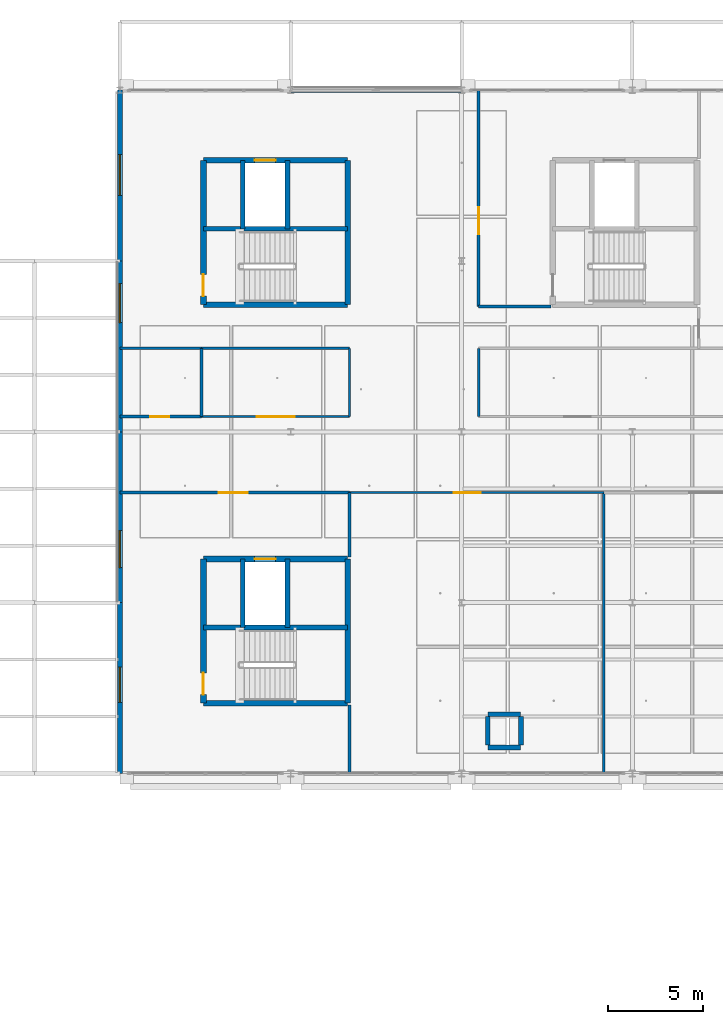
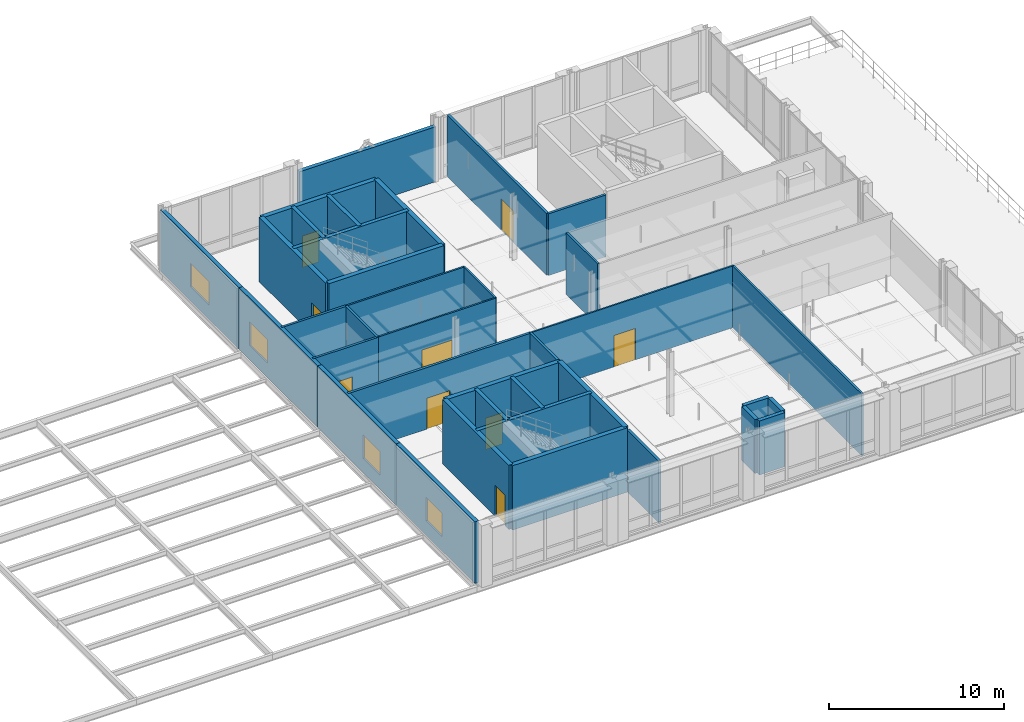
# One storey, part 45 of 66: 37 walls, 9 doors, 4 windows, 13 openings.
"""IFC4 building model written with IfcOpenShell, lengths in metres."""

from ifc_helpers import new_model, si_unit, direction, frame, frame_2d, origin, place, context, subcontext, project, spatial, rectangle, extrude, material, layer, layer_set, type_object, element, fill, save


model = new_model("IFC4")

# Units and contexts
model_context = context("Model", 3, precision=1e-05, world=origin(), true_north=direction((0.0, 1.0)))
body_context = subcontext(model_context, "Body", "Model", "MODEL_VIEW")
ifc_project = project(units=[si_unit("LENGTHUNIT", "METRE"), si_unit("AREAUNIT", "SQUARE_METRE"), si_unit("VOLUMEUNIT", "CUBIC_METRE"), si_unit("PLANEANGLEUNIT", "RADIAN"), si_unit("MASSUNIT", "GRAM", prefix="KILO"), si_unit("THERMODYNAMICTEMPERATUREUNIT", "KELVIN"), si_unit("POWERUNIT", "WATT")], contexts=[model_context])

# Site, building, storey
site_placement = place(None, origin())
site = spatial("IfcSite", under=ifc_project, at=site_placement, CompositionType="ELEMENT")
building_placement = place(site_placement, origin())
building = spatial("IfcBuilding", under=site, at=building_placement, Name="Tallowbark Science Centre", CompositionType="ELEMENT")
storey_placement = place(building_placement, frame((0.0, 0.0, 18.89990234375)))
storey = spatial("IfcBuildingStorey", under=building, at=storey_placement, Name="L04", CompositionType="ELEMENT", Elevation=18.89990234375)

# Wall
ifc_material_1 = material(Name="Insulated Precast Concrete Panel Grade N40 (40 MPa)", Category="concrete")
ifc_layer_1 = layer(ifc_material_1, 0.25)
ifc_layer_set_1 = layer_set([ifc_layer_1], Name="Insulated Precast Concrete Panel Grade N40 (40 MPa)")
wall_type_1 = type_object("IfcWallType", Name="EWL-PRC-250", PredefinedType="STANDARD", material=ifc_layer_set_1)
wall_1_placement = place(storey_placement, frame((130.5, 108.0, 0.0), z_axis=(0.0, 0.0, 1.0), x_axis=(-1.0, 0.0, 0.0)))
element("IfcWall", 1, at=wall_1_placement, inside=storey, type_object=wall_type_1, Name="Exterior Wall OBS4-N-CBF", PredefinedType="STANDARD", context=body_context, shape_type="SweptSolid", body=[
    extrude(rectangle(XDim=9.0, YDim=0.25, at=frame_2d((4.5, 0.0))), origin(), (0.0, 0.0, 1.0), 3.84619140625),
])

# Wall, opening, window
wall_2_placement = place(storey_placement, frame((112.5, 81.0, 0.0), z_axis=(0.0, 0.0, 1.0), x_axis=(0.0, -1.0, 0.0)))
wall_2 = element("IfcWall", 2, at=wall_2_placement, inside=storey, type_object=wall_type_1, Name="Exterior Wall OBS4-W-72", PredefinedType="STANDARD", context=body_context, shape_type="SweptSolid", body=[
    extrude(rectangle(XDim=9.0, YDim=0.25, at=frame_2d((4.5, 0.0))), origin(), (0.0, 0.0, 1.0), 4.320068359375),
])
opening_1_placement = place(wall_2_placement, frame((3.39990234375, 0.0, 1.0)))
opening_1 = element("IfcOpeningElement", 3, at=opening_1_placement, cuts=wall_2, Name="Opening WS-10", PredefinedType="OPENING", context=body_context, shape_type="SweptSolid", body=[
    extrude(rectangle(XDim=1.85009765625, YDim=1.64990234375, at=frame_2d((0.925048828125, 0.824951171875))), frame((0.0, 0.135009765625, 0.0), z_axis=(0.0, -1.0, 0.0), x_axis=(1.0, 0.0, 0.0)), (0.0, 0.0, 1.0), 0.27001953125),
])
ifc_material_2 = material(Name="Thermally Broken Aluminium and Low-E Double Glazing", Category="aluminium")
window_type_1 = type_object("IfcWindowType", Name="WIN-SP-185x165", PartitioningType="SINGLE_PANEL", PredefinedType="WINDOW", material=ifc_material_2)
window_1_placement = place(opening_1_placement, origin())
window_1 = element("IfcWindow", 4, at=window_1_placement, inside=storey, type_object=window_type_1, Name="Acoustic Window WSP-10", OverallHeight=1.64990234375, OverallWidth=1.85009765625, PartitioningType="SINGLE_PANEL", PredefinedType="WINDOW", context=body_context, shape_type="SweptSolid", body=[
    extrude(rectangle(XDim=1.85009765625, YDim=1.64990234375, at=frame_2d((0.925048828125, 0.824951171875))), frame((0.0, 0.030029296875, 0.0), z_axis=(0.0, -1.0, 0.0), x_axis=(1.0, 0.0, 0.0)), (0.0, 0.0, 1.0), 0.06005859375),
])
fill(opening_1, window_1)

wall_3_placement = place(storey_placement, frame((112.5, 90.0, 0.0), z_axis=(0.0, 0.0, 1.0), x_axis=(0.0, -1.0, 0.0)))
wall_3 = element("IfcWall", 5, at=wall_3_placement, inside=storey, type_object=wall_type_1, Name="Exterior Wall OBS4-W-81", PredefinedType="STANDARD", context=body_context, shape_type="SweptSolid", body=[
    extrude(rectangle(XDim=9.0, YDim=0.25, at=frame_2d((4.5, 0.0))), origin(), (0.0, 0.0, 1.0), 4.320068359375),
])
opening_2_placement = place(wall_3_placement, frame((5.199951171875, 0.0, 1.0)))
opening_2 = element("IfcOpeningElement", 6, at=opening_2_placement, cuts=wall_3, Name="Opening WS-11", PredefinedType="OPENING", context=body_context, shape_type="SweptSolid", body=[
    extrude(rectangle(XDim=1.949951171875, YDim=1.64990234375, at=frame_2d((0.97509765625, 0.824951171875))), frame((0.0, 0.135009765625, 0.0), z_axis=(0.0, -1.0, 0.0), x_axis=(1.0, 0.0, 0.0)), (0.0, 0.0, 1.0), 0.27001953125),
])
window_type_2 = type_object("IfcWindowType", Name="WIN-SP-195x165", PartitioningType="SINGLE_PANEL", PredefinedType="WINDOW", material=ifc_material_2)
window_2_placement = place(opening_2_placement, origin())
window_2 = element("IfcWindow", 7, at=window_2_placement, inside=storey, type_object=window_type_2, Name="Acoustic Window WSP-11", OverallHeight=1.64990234375, OverallWidth=1.949951171875, PartitioningType="SINGLE_PANEL", PredefinedType="WINDOW", context=body_context, shape_type="SweptSolid", body=[
    extrude(rectangle(XDim=1.949951171875, YDim=1.64990234375, at=frame_2d((0.97509765625, 0.824951171875))), frame((0.0, 0.030029296875, 0.0), z_axis=(0.0, -1.0, 0.0), x_axis=(1.0, 0.0, 0.0)), (0.0, 0.0, 1.0), 0.06005859375),
])
fill(opening_2, window_2)

wall_4_placement = place(storey_placement, frame((112.5, 99.0, 0.0), z_axis=(0.0, 0.0, 1.0), x_axis=(0.0, -1.0, 0.0)))
wall_4 = element("IfcWall", 8, at=wall_4_placement, inside=storey, type_object=wall_type_1, Name="Exterior Wall OBS4-W-90", PredefinedType="STANDARD", context=body_context, shape_type="SweptSolid", body=[
    extrude(rectangle(XDim=9.0, YDim=0.25, at=frame_2d((4.5, 0.0))), origin(), (0.0, 0.0, 1.0), 4.320068359375),
])
opening_3_placement = place(wall_4_placement, frame((1.199951171875, 0.0, 1.0)))
opening_3 = element("IfcOpeningElement", 9, at=opening_3_placement, cuts=wall_4, Name="Opening WS-12", PredefinedType="OPENING", context=body_context, shape_type="SweptSolid", body=[
    extrude(rectangle(XDim=2.050048828125, YDim=1.64990234375, at=frame_2d((1.02490234375, 0.824951171875))), frame((0.0, 0.135009765625, 0.0), z_axis=(0.0, -1.0, 0.0), x_axis=(1.0, 0.0, 0.0)), (0.0, 0.0, 1.0), 0.27001953125),
])
window_type_3 = type_object("IfcWindowType", Name="WIN-SP-205x165", PartitioningType="SINGLE_PANEL", PredefinedType="WINDOW", material=ifc_material_2)
window_3_placement = place(opening_3_placement, origin())
window_3 = element("IfcWindow", 10, at=window_3_placement, inside=storey, type_object=window_type_3, Name="Acoustic Window WSP-12", OverallHeight=1.64990234375, OverallWidth=2.050048828125, PartitioningType="SINGLE_PANEL", PredefinedType="WINDOW", context=body_context, shape_type="SweptSolid", body=[
    extrude(rectangle(XDim=2.050048828125, YDim=1.64990234375, at=frame_2d((1.02490234375, 0.824951171875))), frame((0.0, 0.030029296875, 0.0), z_axis=(0.0, -1.0, 0.0), x_axis=(1.0, 0.0, 0.0)), (0.0, 0.0, 1.0), 0.06005859375),
])
fill(opening_3, window_3)

wall_5_placement = place(storey_placement, frame((112.5, 108.0, 0.0), z_axis=(0.0, 0.0, 1.0), x_axis=(0.0, -1.0, 0.0)))
wall_5 = element("IfcWall", 11, at=wall_5_placement, inside=storey, type_object=wall_type_1, Name="Exterior Wall OBS4-W-99", PredefinedType="STANDARD", context=body_context, shape_type="SweptSolid", body=[
    extrude(rectangle(XDim=9.0, YDim=0.25, at=frame_2d((4.5, 0.0))), origin(), (0.0, 0.0, 1.0), 4.320068359375),
])
opening_4_placement = place(wall_5_placement, frame((3.39990234375, 0.0, 1.0)))
opening_4 = element("IfcOpeningElement", 12, at=opening_4_placement, cuts=wall_5, Name="Opening WS-13", PredefinedType="OPENING", context=body_context, shape_type="SweptSolid", body=[
    extrude(rectangle(XDim=2.14990234375, YDim=1.64990234375, at=frame_2d((1.074951171875, 0.824951171875))), frame((0.0, 0.135009765625, 0.0), z_axis=(0.0, -1.0, 0.0), x_axis=(1.0, 0.0, 0.0)), (0.0, 0.0, 1.0), 0.27001953125),
])
window_type_4 = type_object("IfcWindowType", Name="WIN-SP-215x165", PartitioningType="SINGLE_PANEL", PredefinedType="WINDOW", material=ifc_material_2)
window_4_placement = place(opening_4_placement, origin())
window_4 = element("IfcWindow", 13, at=window_4_placement, inside=storey, type_object=window_type_4, Name="Acoustic Window WSP-13", OverallHeight=1.64990234375, OverallWidth=2.14990234375, PartitioningType="SINGLE_PANEL", PredefinedType="WINDOW", context=body_context, shape_type="SweptSolid", body=[
    extrude(rectangle(XDim=2.14990234375, YDim=1.64990234375, at=frame_2d((1.074951171875, 0.824951171875))), frame((0.0, 0.030029296875, 0.0), z_axis=(0.0, -1.0, 0.0), x_axis=(1.0, 0.0, 0.0)), (0.0, 0.0, 1.0), 0.06005859375),
])
fill(opening_4, window_4)

# Walls
ifc_material_3 = material(Name="116 mm Acoustic Steel Stud and 16 mm Fire-Rated Plasterboard", Category="steel")
ifc_layer_2 = layer(ifc_material_3, 0.115966796875)
ifc_layer_set_2 = layer_set([ifc_layer_2], Name="116 mm Acoustic Steel Stud and 16 mm Fire-Rated Plasterboard")
wall_type_2 = type_object("IfcWallType", Name="PTW-116", PredefinedType="PARTITIONING", material=ifc_layer_set_2)
wall_6_placement = place(storey_placement, frame((116.800048828125, 94.39990234375, 0.0), z_axis=(0.0, 0.0, 1.0), x_axis=(1.0, 0.0, 0.0)))
element("IfcWall", 14, at=wall_6_placement, inside=storey, type_object=wall_type_2, Name="Interior Partition PTW-L04-0308", PredefinedType="PARTITIONING", context=body_context, shape_type="SweptSolid", body=[
    extrude(rectangle(XDim=7.800048828125, YDim=0.115966796875, at=frame_2d((3.89990234375, 0.0))), origin(), (0.0, 0.0, 1.0), 4.320068359375),
])
wall_7_placement = place(storey_placement, frame((124.60009765625, 90.800048828125, 0.0), z_axis=(0.0, 0.0, 1.0), x_axis=(0.0, 1.0, 0.0)))
element("IfcWall", 15, at=wall_7_placement, inside=storey, type_object=wall_type_2, Name="Interior Partition PTW-L04-0309", PredefinedType="PARTITIONING", context=body_context, shape_type="SweptSolid", body=[
    extrude(rectangle(XDim=3.599853515625, YDim=0.115966796875, at=frame_2d((1.7998046875, 0.0))), origin(), (0.0, 0.0, 1.0), 4.320068359375),
])
ifc_material_4 = material(Name="132 mm Acoustic Laboratory Steel Stud Partition", Category="steel")
ifc_layer_3 = layer(ifc_material_4, 0.132080078125)
ifc_layer_set_3 = layer_set([ifc_layer_3], Name="132 mm Acoustic Laboratory Steel Stud Partition")
wall_type_3 = type_object("IfcWallType", Name="PTW-132", PredefinedType="PARTITIONING", material=ifc_layer_set_3)
wall_8_placement = place(storey_placement, frame((138.0, 72.0, 0.0), z_axis=(0.0, 0.0, 1.0), x_axis=(0.0, 1.0, 0.0)))
element("IfcWall", 16, at=wall_8_placement, inside=storey, type_object=wall_type_3, Name="Interior Partition PTW-L04-0298", PredefinedType="PARTITIONING", context=body_context, shape_type="SweptSolid", body=[
    extrude(rectangle(XDim=14.800048828125, YDim=0.132080078125, at=frame_2d((7.39990234375, 0.0))), origin(), (0.0, 0.0, 1.0), 4.320068359375),
])
wall_9_placement = place(storey_placement, frame((131.39990234375, 90.800048828125, 0.0), z_axis=(0.0, 0.0, 1.0), x_axis=(0.0, 1.0, 0.0)))
element("IfcWall", 17, at=wall_9_placement, inside=storey, type_object=wall_type_3, Name="Interior Partition PTW-L04-0301", PredefinedType="PARTITIONING", context=body_context, shape_type="SweptSolid", body=[
    extrude(rectangle(XDim=3.599853515625, YDim=0.132080078125, at=frame_2d((1.7998046875, 0.0))), origin(), (0.0, 0.0, 1.0), 4.320068359375),
])

# Wall, opening, door
ifc_material_5 = material(Name="150 mm Wet-Area Moisture-Resistant Partition")
ifc_layer_4 = layer(ifc_material_5, 0.14990234375)
ifc_layer_set_4 = layer_set([ifc_layer_4], Name="150 mm Wet-Area Moisture-Resistant Partition")
wall_type_4 = type_object("IfcWallType", Name="PTW-150", PredefinedType="PARTITIONING", material=ifc_layer_set_4)
wall_10_placement = place(storey_placement, frame((112.5, 90.800048828125, 0.0), z_axis=(0.0, 0.0, 1.0), x_axis=(1.0, 0.0, 0.0)))
wall_10 = element("IfcWall", 18, at=wall_10_placement, inside=storey, type_object=wall_type_4, Name="Interior Partition PTW-L04-0304", PredefinedType="PARTITIONING", context=body_context, shape_type="SweptSolid", body=[
    extrude(rectangle(XDim=4.300048828125, YDim=0.14990234375, at=frame_2d((2.14990234375, 0.0))), origin(), (0.0, 0.0, 1.0), 4.320068359375),
])
opening_5_placement = place(wall_10_placement, frame((1.60009765625, 0.0, 0.0)))
opening_5 = element("IfcOpeningElement", 19, at=opening_5_placement, cuts=wall_10, Name="Opening ID-06", PredefinedType="OPENING", context=body_context, shape_type="SweptSolid", body=[
    extrude(rectangle(XDim=1.0, YDim=2.14990234375, at=frame_2d((0.5, 1.074951171875))), frame((0.0, 0.0849609375, 0.0), z_axis=(0.0, -1.0, 0.0), x_axis=(1.0, 0.0, 0.0)), (0.0, 0.0, 1.0), 0.169921875),
])
ifc_material_6 = material(Name="Accessible Cavity Sliding Leaf")
door_type_1 = type_object("IfcDoorType", Name="IDR-AWC-100", OperationType="SLIDING_TO_LEFT", PredefinedType="DOOR", material=ifc_material_6)
door_1_placement = place(opening_5_placement, origin())
door_1 = element("IfcDoor", 20, at=door_1_placement, inside=storey, type_object=door_type_1, Name="Interior Door IDR-L04-0137", OperationType="SLIDING_TO_LEFT", OverallHeight=2.14990234375, OverallWidth=1.0, PredefinedType="DOOR", context=body_context, shape_type="SweptSolid", body=[
    extrude(rectangle(XDim=1.0, YDim=2.14990234375, at=frame_2d((0.5, 1.074951171875))), frame((0.0, 0.02490234375, 0.0), z_axis=(0.0, -1.0, 0.0), x_axis=(1.0, 0.0, 0.0)), (0.0, 0.0, 1.0), 0.050048828125),
])
fill(opening_5, door_1)

# Walls
wall_11_placement = place(storey_placement, frame((112.5, 94.39990234375, 0.0), z_axis=(0.0, 0.0, 1.0), x_axis=(1.0, 0.0, 0.0)))
element("IfcWall", 21, at=wall_11_placement, inside=storey, type_object=wall_type_4, Name="Interior Partition PTW-L04-0305", PredefinedType="PARTITIONING", context=body_context, shape_type="SweptSolid", body=[
    extrude(rectangle(XDim=4.300048828125, YDim=0.14990234375, at=frame_2d((2.14990234375, 0.0))), origin(), (0.0, 0.0, 1.0), 4.320068359375),
])
wall_12_placement = place(storey_placement, frame((116.800048828125, 90.800048828125, 0.0), z_axis=(0.0, 0.0, 1.0), x_axis=(0.0, 1.0, 0.0)))
element("IfcWall", 22, at=wall_12_placement, inside=storey, type_object=wall_type_4, Name="Interior Partition PTW-L04-0306", PredefinedType="PARTITIONING", context=body_context, shape_type="SweptSolid", body=[
    extrude(rectangle(XDim=3.599853515625, YDim=0.14990234375, at=frame_2d((1.7998046875, 0.0))), origin(), (0.0, 0.0, 1.0), 4.320068359375),
])

# Wall, opening, door
ifc_material_7 = material(Name="162 mm Double-Stud Fire-Rated Corridor Partition")
ifc_layer_5 = layer(ifc_material_7, 0.162109375)
ifc_layer_set_5 = layer_set([ifc_layer_5], Name="162 mm Double-Stud Fire-Rated Corridor Partition")
wall_type_5 = type_object("IfcWallType", Name="PTW-162", PredefinedType="PARTITIONING", material=ifc_layer_set_5)
wall_13_placement = place(storey_placement, frame((112.5, 86.800048828125, 0.0), z_axis=(0.0, 0.0, 1.0), x_axis=(1.0, 0.0, 0.0)))
wall_13 = element("IfcWall", 23, at=wall_13_placement, inside=storey, type_object=wall_type_5, Name="Interior Partition PTW-L04-0044", PredefinedType="PARTITIONING", context=body_context, shape_type="SweptSolid", body=[
    extrude(rectangle(XDim=12.10009765625, YDim=0.162109375, at=frame_2d((6.050048828125, 0.0))), origin(), (0.0, 0.0, 1.0), 4.320068359375),
])
opening_6_placement = place(wall_13_placement, frame((5.199951171875, 0.0, 0.0)))
opening_6 = element("IfcOpeningElement", 24, at=opening_6_placement, cuts=wall_13, Name="Opening DS-11", PredefinedType="OPENING", context=body_context, shape_type="SweptSolid", body=[
    extrude(rectangle(XDim=1.530029296875, YDim=2.175048828125, at=frame_2d((0.76513671875, 1.08740234375))), frame((0.0, 0.091064453125, 0.0), z_axis=(0.0, -1.0, 0.0), x_axis=(1.0, 0.0, 0.0)), (0.0, 0.0, 1.0), 0.18212890625),
])
ifc_material_8 = material(Name="Fire-Rated Glazed Steel Pair", Category="steel")
door_type_2 = type_object("IfcDoorType", Name="FDR-LOB-145-S11", OperationType="DOUBLE_DOOR_SINGLE_SWING", PredefinedType="DOOR", material=ifc_material_8)
door_2_placement = place(opening_6_placement, origin())
door_2 = element("IfcDoor", 25, at=door_2_placement, inside=storey, type_object=door_type_2, Name="Interior Door IDR-L04-0011", OperationType="DOUBLE_DOOR_SINGLE_SWING", OverallHeight=2.175048828125, OverallWidth=1.530029296875, PredefinedType="DOOR", context=body_context, shape_type="SweptSolid", body=[
    extrude(rectangle(XDim=1.530029296875, YDim=2.175048828125, at=frame_2d((0.76513671875, 1.08740234375))), frame((0.0, 0.02490234375, 0.0), z_axis=(0.0, -1.0, 0.0), x_axis=(1.0, 0.0, 0.0)), (0.0, 0.0, 1.0), 0.050048828125),
])
fill(opening_6, door_2)

# Walls
wall_14_placement = place(storey_placement, frame((124.60009765625, 83.39990234375, 0.0), z_axis=(0.0, 0.0, 1.0), x_axis=(0.0, 1.0, 0.0)))
element("IfcWall", 26, at=wall_14_placement, inside=storey, type_object=wall_type_5, Name="Interior Partition PTW-L04-0045", PredefinedType="PARTITIONING", context=body_context, shape_type="SweptSolid", body=[
    extrude(rectangle(XDim=3.400146484375, YDim=0.162109375, at=frame_2d((1.7001953125, 0.0))), origin(), (0.0, 0.0, 1.0), 4.320068359375),
])
wall_15_placement = place(storey_placement, frame((124.60009765625, 72.0, 0.0), z_axis=(0.0, 0.0, 1.0), x_axis=(0.0, 1.0, 0.0)))
element("IfcWall", 27, at=wall_15_placement, inside=storey, type_object=wall_type_5, Name="Interior Partition PTW-L04-0046", PredefinedType="PARTITIONING", context=body_context, shape_type="SweptSolid", body=[
    extrude(rectangle(XDim=3.60009765625, YDim=0.162109375, at=frame_2d((1.800048828125, 0.0))), origin(), (0.0, 0.0, 1.0), 4.320068359375),
])

# Wall, opening, door
wall_16_placement = place(storey_placement, frame((131.39990234375, 96.60009765625, 0.0), z_axis=(0.0, 0.0, 1.0), x_axis=(0.0, 1.0, 0.0)))
wall_16 = element("IfcWall", 28, at=wall_16_placement, inside=storey, type_object=wall_type_5, Name="Interior Partition PTW-L04-0047", PredefinedType="PARTITIONING", context=body_context, shape_type="SweptSolid", body=[
    extrude(rectangle(XDim=11.39990234375, YDim=0.162109375, at=frame_2d((5.699951171875, 0.0))), origin(), (0.0, 0.0, 1.0), 4.320068359375),
])
opening_7_placement = place(wall_16_placement, frame((3.800048828125, 0.0, 0.0)))
opening_7 = element("IfcOpeningElement", 29, at=opening_7_placement, cuts=wall_16, Name="Opening DS-12", PredefinedType="OPENING", context=body_context, shape_type="SweptSolid", body=[
    extrude(rectangle(XDim=1.429931640625, YDim=2.199951171875, at=frame_2d((0.71484375, 1.10009765625))), frame((0.0, 0.091064453125, 0.0), z_axis=(0.0, -1.0, 0.0), x_axis=(1.0, 0.0, 0.0)), (0.0, 0.0, 1.0), 0.18212890625),
])
door_type_3 = type_object("IfcDoorType", Name="FDR-LOB-145-S12", OperationType="DOUBLE_DOOR_SINGLE_SWING", PredefinedType="DOOR", material=ifc_material_8)
door_3_placement = place(opening_7_placement, origin())
door_3 = element("IfcDoor", 30, at=door_3_placement, inside=storey, type_object=door_type_3, Name="Interior Door IDR-L04-0012", OperationType="DOUBLE_DOOR_SINGLE_SWING", OverallHeight=2.199951171875, OverallWidth=1.429931640625, PredefinedType="DOOR", context=body_context, shape_type="SweptSolid", body=[
    extrude(rectangle(XDim=1.429931640625, YDim=2.199951171875, at=frame_2d((0.71484375, 1.10009765625))), frame((0.0, 0.02490234375, 0.0), z_axis=(0.0, -1.0, 0.0), x_axis=(1.0, 0.0, 0.0)), (0.0, 0.0, 1.0), 0.050048828125),
])
fill(opening_7, door_3)

# Wall
wall_17_placement = place(storey_placement, frame((131.39990234375, 96.60009765625, 0.0), z_axis=(0.0, 0.0, 1.0), x_axis=(1.0, 0.0, 0.0)))
element("IfcWall", 31, at=wall_17_placement, inside=storey, type_object=wall_type_5, Name="Interior Partition PTW-L04-0048", PredefinedType="PARTITIONING", context=body_context, shape_type="SweptSolid", body=[
    extrude(rectangle(XDim=3.800048828125, YDim=0.162109375, at=frame_2d((1.89990234375, 0.0))), origin(), (0.0, 0.0, 1.0), 4.320068359375),
])

# Wall, opening, door
ifc_material_9 = material(Name="108 mm Acoustic Double-Glazed Laboratory Partition")
ifc_layer_6 = layer(ifc_material_9, 0.10791015625)
ifc_layer_set_6 = layer_set([ifc_layer_6], Name="108 mm Acoustic Double-Glazed Laboratory Partition")
wall_type_6 = type_object("IfcWallType", Name="PTW-GLZ-108", PredefinedType="PARTITIONING", material=ifc_layer_set_6)
wall_18_placement = place(storey_placement, frame((124.60009765625, 86.800048828125, 0.0), z_axis=(0.0, 0.0, 1.0), x_axis=(1.0, 0.0, 0.0)))
wall_18 = element("IfcWall", 32, at=wall_18_placement, inside=storey, type_object=wall_type_6, Name="Interior Partition PTW-L04-0297", PredefinedType="PARTITIONING", context=body_context, shape_type="SweptSolid", body=[
    extrude(rectangle(XDim=13.39990234375, YDim=0.10791015625, at=frame_2d((6.699951171875, 0.0))), origin(), (0.0, 0.0, 1.0), 4.320068359375),
])
opening_8_placement = place(wall_18_placement, frame((5.5, 0.0, 0.0)))
opening_8 = element("IfcOpeningElement", 33, at=opening_8_placement, cuts=wall_18, Name="Opening ID-01", PredefinedType="OPENING", context=body_context, shape_type="SweptSolid", body=[
    extrude(rectangle(XDim=1.39990234375, YDim=2.199951171875, at=frame_2d((0.699951171875, 1.10009765625))), frame((0.0, 0.06396484375, 0.0), z_axis=(0.0, -1.0, 0.0), x_axis=(1.0, 0.0, 0.0)), (0.0, 0.0, 1.0), 0.1279296875),
])
ifc_material_10 = material(Name="Vision-Panel Leaf and Unequal Side Leaf")
door_type_4 = type_object("IfcDoorType", Name="IDR-LAB-140", OperationType="DOUBLE_DOOR_SINGLE_SWING", PredefinedType="DOOR", material=ifc_material_10)
door_4_placement = place(opening_8_placement, origin())
door_4 = element("IfcDoor", 34, at=door_4_placement, inside=storey, type_object=door_type_4, Name="Interior Door IDR-L04-0133", OperationType="DOUBLE_DOOR_SINGLE_SWING", OverallHeight=2.199951171875, OverallWidth=1.39990234375, PredefinedType="DOOR", context=body_context, shape_type="SweptSolid", body=[
    extrude(rectangle(XDim=1.39990234375, YDim=2.199951171875, at=frame_2d((0.699951171875, 1.10009765625))), frame((0.0, 0.02490234375, 0.0), z_axis=(0.0, -1.0, 0.0), x_axis=(1.0, 0.0, 0.0)), (0.0, 0.0, 1.0), 0.050048828125),
])
fill(opening_8, door_4)

wall_19_placement = place(storey_placement, frame((116.800048828125, 90.800048828125, 0.0), z_axis=(0.0, 0.0, 1.0), x_axis=(1.0, 0.0, 0.0)))
wall_19 = element("IfcWall", 35, at=wall_19_placement, inside=storey, type_object=wall_type_6, Name="Interior Partition PTW-L04-0307", PredefinedType="PARTITIONING", context=body_context, shape_type="SweptSolid", body=[
    extrude(rectangle(XDim=7.800048828125, YDim=0.10791015625, at=frame_2d((3.89990234375, 0.0))), origin(), (0.0, 0.0, 1.0), 4.320068359375),
])
opening_9_placement = place(wall_19_placement, frame((2.89990234375, 0.0, 0.0)))
opening_9 = element("IfcOpeningElement", 36, at=opening_9_placement, cuts=wall_19, Name="Opening ID-02", PredefinedType="OPENING", context=body_context, shape_type="SweptSolid", body=[
    extrude(rectangle(XDim=2.0, YDim=2.39990234375, at=frame_2d((1.0, 1.199951171875))), frame((0.0, 0.06396484375, 0.0), z_axis=(0.0, -1.0, 0.0), x_axis=(1.0, 0.0, 0.0)), (0.0, 0.0, 1.0), 0.1279296875),
])
ifc_material_11 = material(Name="Spotted Gum Acoustic Gallery Pair", Category="wood")
door_type_5 = type_object("IfcDoorType", Name="IDR-GAL-200", OperationType="DOUBLE_DOOR_DOUBLE_SWING", PredefinedType="DOOR", material=ifc_material_11)
door_5_placement = place(opening_9_placement, origin())
door_5 = element("IfcDoor", 37, at=door_5_placement, inside=storey, type_object=door_type_5, Name="Interior Door IDR-L04-0138", OperationType="DOUBLE_DOOR_DOUBLE_SWING", OverallHeight=2.39990234375, OverallWidth=2.0, PredefinedType="DOOR", context=body_context, shape_type="SweptSolid", body=[
    extrude(rectangle(XDim=2.0, YDim=2.39990234375, at=frame_2d((1.0, 1.199951171875))), frame((0.0, 0.02490234375, 0.0), z_axis=(0.0, -1.0, 0.0), x_axis=(1.0, 0.0, 0.0)), (0.0, 0.0, 1.0), 0.050048828125),
])
fill(opening_9, door_5)

ifc_material_12 = material(Name="Concrete Grade N40 (40 MPa)", Category="concrete")
ifc_layer_7 = layer(ifc_material_12, 0.300048828125)
ifc_layer_set_7 = layer_set([ifc_layer_7], Name="Concrete Grade N40 (40 MPa)")
wall_type_7 = type_object("IfcWallType", Name="WL-CORE-300", PredefinedType="SHEAR", material=ifc_layer_set_7)
wall_20_placement = place(storey_placement, frame((116.89990234375, 75.699951171875, 0.0), z_axis=(0.0, 0.0, 1.0), x_axis=(0.0, 1.0, 0.0)))
wall_20 = element("IfcWall", 38, at=wall_20_placement, inside=storey, type_object=wall_type_7, Name="Core C2 Shear Wall L04 W", PredefinedType="SHEAR", context=body_context, shape_type="SweptSolid", body=[
    extrude(rectangle(XDim=7.60009765625, YDim=0.300048828125, at=frame_2d((3.800048828125, 0.0))), origin(), (0.0, 0.0, 1.0), 4.5),
])
opening_10_placement = place(wall_20_placement, frame((0.449951171875, 0.0, 0.0)))
opening_10 = element("IfcOpeningElement", 39, at=opening_10_placement, cuts=wall_20, Name="Opening FD-01", PredefinedType="OPENING", context=body_context, shape_type="SweptSolid", body=[
    extrude(rectangle(XDim=1.14990234375, YDim=2.14990234375, at=frame_2d((0.574951171875, 1.074951171875))), frame((0.0, 0.16015625, 0.0), z_axis=(0.0, -1.0, 0.0), x_axis=(1.0, 0.0, 0.0)), (0.0, 0.0, 1.0), 0.320068359375),
])
ifc_material_13 = material(Name="Fire-Rated Pressed Steel Frame and Solid Core Leaf", Category="steel")
door_type_6 = type_object("IfcDoorType", Name="FDR-STR-115", OperationType="NOTDEFINED", PredefinedType="DOOR", material=ifc_material_13)
door_6_placement = place(opening_10_placement, origin())
door_6 = element("IfcDoor", 40, at=door_6_placement, inside=storey, type_object=door_type_6, Name="Stair ST-02 Fire Door L04", OperationType="SINGLE_SWING_LEFT", OverallHeight=2.14990234375, OverallWidth=1.14990234375, PredefinedType="DOOR", context=body_context, shape_type="SweptSolid", body=[
    extrude(rectangle(XDim=1.14990234375, YDim=2.14990234375, at=frame_2d((0.574951171875, 1.074951171875))), frame((0.0, 0.02490234375, 0.0), z_axis=(0.0, -1.0, 0.0), x_axis=(1.0, 0.0, 0.0)), (0.0, 0.0, 1.0), 0.050048828125),
])
fill(opening_10, door_6)

# Walls
for number, where, z_axis, x_axis, name in (
    (41, (124.5, 75.699951171875, 0.0), (0.0, 0.0, 1.0), (0.0, 1.0, 0.0), "Core C2 Shear Wall L04 E"),
    (42, (116.89990234375, 75.699951171875, 0.0), (0.0, 0.0, 1.0), (1.0, 0.0, 0.0), "Core C2 Shear Wall L04 S"),
):
    element("IfcWall", number, at=place(storey_placement, frame(where, z_axis=z_axis, x_axis=x_axis)), inside=storey, type_object=wall_type_7, Name=name, PredefinedType="SHEAR", context=body_context, shape_type="SweptSolid", body=[
        extrude(rectangle(XDim=7.60009765625, YDim=0.300048828125, at=frame_2d((3.800048828125, 0.0))), origin(), (0.0, 0.0, 1.0), 4.5),
    ])

# Wall, opening, door
wall_21_placement = place(storey_placement, frame((116.89990234375, 83.300048828125, 0.0), z_axis=(0.0, 0.0, 1.0), x_axis=(1.0, 0.0, 0.0)))
wall_21 = element("IfcWall", 43, at=wall_21_placement, inside=storey, type_object=wall_type_7, Name="Core C2 Shear Wall L04 N", PredefinedType="SHEAR", context=body_context, shape_type="SweptSolid", body=[
    extrude(rectangle(XDim=7.60009765625, YDim=0.300048828125, at=frame_2d((3.800048828125, 0.0))), origin(), (0.0, 0.0, 1.0), 4.5),
])
opening_11_placement = place(wall_21_placement, frame((2.699951171875, 0.0, 0.0)))
opening_11 = element("IfcOpeningElement", 44, at=opening_11_placement, cuts=wall_21, Name="Opening LD-01", PredefinedType="OPENING", context=body_context, shape_type="SweptSolid", body=[
    extrude(rectangle(XDim=1.10009765625, YDim=2.199951171875, at=frame_2d((0.550048828125, 1.10009765625))), frame((0.0, 0.16015625, 0.0), z_axis=(0.0, -1.0, 0.0), x_axis=(1.0, 0.0, 0.0)), (0.0, 0.0, 1.0), 0.320068359375),
])
ifc_material_14 = material(Name="Brushed Stainless Steel Centre-Parting Lift Landing Door", Category="steel")
door_type_7 = type_object("IfcDoorType", Name="LDR-LFT-110", OperationType="DOUBLE_DOOR_SLIDING", PredefinedType="DOOR", material=ifc_material_14)
door_7_placement = place(opening_11_placement, origin())
door_7 = element("IfcDoor", 45, at=door_7_placement, inside=storey, type_object=door_type_7, Name="Lift LF-02 Landing Door L04", OperationType="DOUBLE_DOOR_SLIDING", OverallHeight=2.199951171875, OverallWidth=1.10009765625, PredefinedType="DOOR", context=body_context, shape_type="SweptSolid", body=[
    extrude(rectangle(XDim=1.10009765625, YDim=2.199951171875, at=frame_2d((0.550048828125, 1.10009765625))), frame((0.0, 0.02490234375, 0.0), z_axis=(0.0, -1.0, 0.0), x_axis=(1.0, 0.0, 0.0)), (0.0, 0.0, 1.0), 0.050048828125),
])
fill(opening_11, door_7)

wall_22_placement = place(storey_placement, frame((116.89990234375, 96.699951171875, 0.0), z_axis=(0.0, 0.0, 1.0), x_axis=(0.0, 1.0, 0.0)))
wall_22 = element("IfcWall", 46, at=wall_22_placement, inside=storey, type_object=wall_type_7, Name="Core C5 Shear Wall L04 W", PredefinedType="SHEAR", context=body_context, shape_type="SweptSolid", body=[
    extrude(rectangle(XDim=7.60009765625, YDim=0.300048828125, at=frame_2d((3.800048828125, 0.0))), origin(), (0.0, 0.0, 1.0), 4.5),
])
opening_12_placement = place(wall_22_placement, frame((0.449951171875, 0.0, 0.0)))
opening_12 = element("IfcOpeningElement", 47, at=opening_12_placement, cuts=wall_22, Name="Opening FD-01", PredefinedType="OPENING", context=body_context, shape_type="SweptSolid", body=[
    extrude(rectangle(XDim=1.14990234375, YDim=2.14990234375, at=frame_2d((0.574951171875, 1.074951171875))), frame((0.0, 0.16015625, 0.0), z_axis=(0.0, -1.0, 0.0), x_axis=(1.0, 0.0, 0.0)), (0.0, 0.0, 1.0), 0.320068359375),
])
door_8_placement = place(opening_12_placement, origin())
door_8 = element("IfcDoor", 48, at=door_8_placement, inside=storey, type_object=door_type_6, Name="Stair ST-05 Fire Door L04", OperationType="SINGLE_SWING_LEFT", OverallHeight=2.14990234375, OverallWidth=1.14990234375, PredefinedType="DOOR", context=body_context, shape_type="SweptSolid", body=[
    extrude(rectangle(XDim=1.14990234375, YDim=2.14990234375, at=frame_2d((0.574951171875, 1.074951171875))), frame((0.0, 0.02490234375, 0.0), z_axis=(0.0, -1.0, 0.0), x_axis=(1.0, 0.0, 0.0)), (0.0, 0.0, 1.0), 0.050048828125),
])
fill(opening_12, door_8)

# Walls
for number, where, z_axis, x_axis, name in (
    (49, (124.5, 96.699951171875, 0.0), (0.0, 0.0, 1.0), (0.0, 1.0, 0.0), "Core C5 Shear Wall L04 E"),
    (50, (116.89990234375, 96.699951171875, 0.0), (0.0, 0.0, 1.0), (1.0, 0.0, 0.0), "Core C5 Shear Wall L04 S"),
):
    element("IfcWall", number, at=place(storey_placement, frame(where, z_axis=z_axis, x_axis=x_axis)), inside=storey, type_object=wall_type_7, Name=name, PredefinedType="SHEAR", context=body_context, shape_type="SweptSolid", body=[
        extrude(rectangle(XDim=7.60009765625, YDim=0.300048828125, at=frame_2d((3.800048828125, 0.0))), origin(), (0.0, 0.0, 1.0), 4.5),
    ])

# Wall, opening, door
wall_23_placement = place(storey_placement, frame((116.89990234375, 104.300048828125, 0.0), z_axis=(0.0, 0.0, 1.0), x_axis=(1.0, 0.0, 0.0)))
wall_23 = element("IfcWall", 51, at=wall_23_placement, inside=storey, type_object=wall_type_7, Name="Core C5 Shear Wall L04 N", PredefinedType="SHEAR", context=body_context, shape_type="SweptSolid", body=[
    extrude(rectangle(XDim=7.60009765625, YDim=0.300048828125, at=frame_2d((3.800048828125, 0.0))), origin(), (0.0, 0.0, 1.0), 4.5),
])
opening_13_placement = place(wall_23_placement, frame((2.699951171875, 0.0, 0.0)))
opening_13 = element("IfcOpeningElement", 52, at=opening_13_placement, cuts=wall_23, Name="Opening LD-01", PredefinedType="OPENING", context=body_context, shape_type="SweptSolid", body=[
    extrude(rectangle(XDim=1.10009765625, YDim=2.199951171875, at=frame_2d((0.550048828125, 1.10009765625))), frame((0.0, 0.16015625, 0.0), z_axis=(0.0, -1.0, 0.0), x_axis=(1.0, 0.0, 0.0)), (0.0, 0.0, 1.0), 0.320068359375),
])
door_9_placement = place(opening_13_placement, origin())
door_9 = element("IfcDoor", 53, at=door_9_placement, inside=storey, type_object=door_type_7, Name="Lift LF-04 Landing Door L04", OperationType="DOUBLE_DOOR_SLIDING", OverallHeight=2.199951171875, OverallWidth=1.10009765625, PredefinedType="DOOR", context=body_context, shape_type="SweptSolid", body=[
    extrude(rectangle(XDim=1.10009765625, YDim=2.199951171875, at=frame_2d((0.550048828125, 1.10009765625))), frame((0.0, 0.02490234375, 0.0), z_axis=(0.0, -1.0, 0.0), x_axis=(1.0, 0.0, 0.0)), (0.0, 0.0, 1.0), 0.050048828125),
])
fill(opening_13, door_9)

# Walls
ifc_layer_8 = layer(ifc_material_12, 0.25)
ifc_layer_set_8 = layer_set([ifc_layer_8], Name="Concrete Grade N40 (40 MPa)")
wall_type_8 = type_object("IfcWallType", Name="WL-SHAFT-250", PredefinedType="SHEAR", material=ifc_layer_set_8)
wall_24_placement = place(storey_placement, frame((116.89990234375, 79.695068359375, 0.0), z_axis=(0.0, 0.0, 1.0), x_axis=(1.0, 0.0, 0.0)))
element("IfcWall", 54, at=wall_24_placement, inside=storey, type_object=wall_type_8, Name="Core C2 Shear Wall L04 MID", PredefinedType="SHEAR", context=body_context, shape_type="SweptSolid", body=[
    extrude(rectangle(XDim=7.60009765625, YDim=0.25, at=frame_2d((3.800048828125, 0.0))), origin(), (0.0, 0.0, 1.0), 4.5),
])
for number, where, z_axis, x_axis, name in (
    (55, (118.97509765625, 79.695068359375, 0.0), (0.0, 0.0, 1.0), (0.0, 1.0, 0.0), "Core C2 Shear Wall L04 LW"),
    (56, (121.324951171875, 79.695068359375, 0.0), (0.0, 0.0, 1.0), (0.0, 1.0, 0.0), "Core C2 Shear Wall L04 LE"),
):
    element("IfcWall", number, at=place(storey_placement, frame(where, z_axis=z_axis, x_axis=x_axis)), inside=storey, type_object=wall_type_8, Name=name, PredefinedType="SHEAR", context=body_context, shape_type="SweptSolid", body=[
        extrude(rectangle(XDim=3.60498046875, YDim=0.25, at=frame_2d((1.802490234375, 0.0))), origin(), (0.0, 0.0, 1.0), 4.5),
    ])
wall_25_placement = place(storey_placement, frame((116.89990234375, 100.695068359375, 0.0), z_axis=(0.0, 0.0, 1.0), x_axis=(1.0, 0.0, 0.0)))
element("IfcWall", 57, at=wall_25_placement, inside=storey, type_object=wall_type_8, Name="Core C5 Shear Wall L04 MID", PredefinedType="SHEAR", context=body_context, shape_type="SweptSolid", body=[
    extrude(rectangle(XDim=7.60009765625, YDim=0.25, at=frame_2d((3.800048828125, 0.0))), origin(), (0.0, 0.0, 1.0), 4.5),
])
for number, where, z_axis, x_axis, name in (
    (58, (118.97509765625, 100.695068359375, 0.0), (0.0, 0.0, 1.0), (0.0, 1.0, 0.0), "Core C5 Shear Wall L04 LW"),
    (59, (121.324951171875, 100.695068359375, 0.0), (0.0, 0.0, 1.0), (0.0, 1.0, 0.0), "Core C5 Shear Wall L04 LE"),
):
    element("IfcWall", number, at=place(storey_placement, frame(where, z_axis=z_axis, x_axis=x_axis)), inside=storey, type_object=wall_type_8, Name=name, PredefinedType="SHEAR", context=body_context, shape_type="SweptSolid", body=[
        extrude(rectangle(XDim=3.60498046875, YDim=0.25, at=frame_2d((1.802490234375, 0.0))), origin(), (0.0, 0.0, 1.0), 4.5),
    ])
for number, where, z_axis, x_axis, name in (
    (60, (131.89990234375, 73.375, 0.0), (0.0, 0.0, 1.0), (1.0, 0.0, 0.0), "Service Riser Shaft Wall RSR-OBS-S L04 S"),
    (61, (131.89990234375, 75.125, 0.0), (0.0, 0.0, 1.0), (1.0, 0.0, 0.0), "Service Riser Shaft Wall RSR-OBS-S L04 N"),
):
    element("IfcWall", number, at=place(storey_placement, frame(where, z_axis=z_axis, x_axis=x_axis)), inside=storey, type_object=wall_type_8, Name=name, PredefinedType="SHEAR", context=body_context, shape_type="SweptSolid", body=[
        extrude(rectangle(XDim=1.7001953125, YDim=0.25, at=frame_2d((0.85009765625, 0.0))), origin(), (0.0, 0.0, 1.0), 3.77001953125),
    ])
for number, where, z_axis, x_axis, name in (
    (62, (131.875, 73.5, 0.0), (0.0, 0.0, 1.0), (0.0, 1.0, 0.0), "Service Riser Shaft Wall RSR-OBS-S L04 W"),
    (63, (133.625, 73.5, 0.0), (0.0, 0.0, 1.0), (0.0, 1.0, 0.0), "Service Riser Shaft Wall RSR-OBS-S L04 E"),
):
    element("IfcWall", number, at=place(storey_placement, frame(where, z_axis=z_axis, x_axis=x_axis)), inside=storey, type_object=wall_type_8, Name=name, PredefinedType="SHEAR", context=body_context, shape_type="SweptSolid", body=[
        extrude(rectangle(XDim=1.5, YDim=0.25, at=frame_2d((0.75, 0.0))), origin(), (0.0, 0.0, 1.0), 3.77001953125),
    ])

save(model, "model.ifc")
